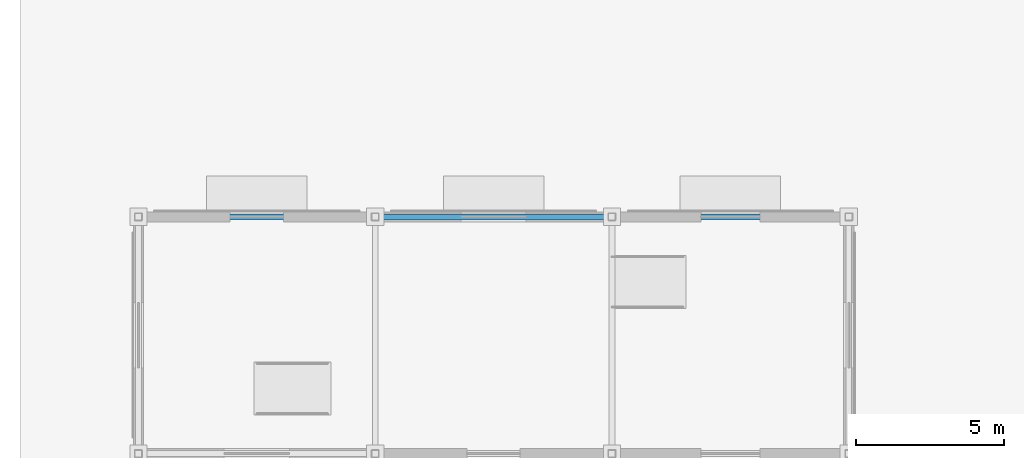
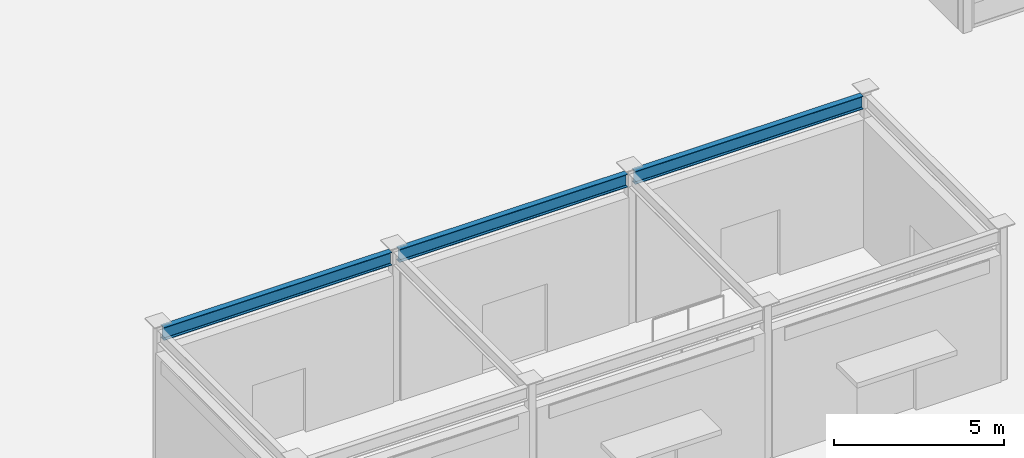
# One storey, part 58 of 128: 3 beams.
"""IFC4 building model written with IfcOpenShell, lengths in metres."""

from ifc_helpers import new_model, si_unit, direction, frame, origin, origin_2d, place, context, subcontext, project, spatial, i_section, extrude, material, material_profile, profile_set, type_object, element, save


model = new_model("IFC4")

# Units and contexts
model_context = context("Model", 3, precision=1e-05, world=origin(), true_north=direction((0.0, 1.0)))
body_context = subcontext(model_context, "Body", "Model", "MODEL_VIEW")
ifc_project = project(units=[si_unit("LENGTHUNIT", "METRE"), si_unit("AREAUNIT", "SQUARE_METRE"), si_unit("VOLUMEUNIT", "CUBIC_METRE"), si_unit("PLANEANGLEUNIT", "RADIAN"), si_unit("MASSUNIT", "GRAM", prefix="KILO")], contexts=[model_context])

# Site, building, storey
site_placement = place(None, origin())
site = spatial("IfcSite", under=ifc_project, at=site_placement, CompositionType="ELEMENT")
building_placement = place(site_placement, origin())
building = spatial("IfcBuilding", under=site, at=building_placement, Name="Solmirada Galleria", CompositionType="ELEMENT")
storey_placement = place(building_placement, origin())
storey = spatial("IfcBuildingStorey", under=building, at=storey_placement, Name="L00", CompositionType="ELEMENT", Elevation=0.0)

# Beams
ifc_material = material(Name="Steel S355 / ASTM A992 Grade 50", Category="steel")
ifc_material_profile = material_profile(ifc_material, i_section(OverallWidth=0.193115234375, OverallDepth=0.466064453125, WebThickness=0.011474609375, FlangeThickness=0.01904296875, FilletRadius=0.013916015625, at=origin_2d()), Name="W18X65")
ifc_profile_set = profile_set([ifc_material_profile], Name="Steel S355 / ASTM A992 Grade 50")
beam_type = type_object("IfcBeamType", Name="BM-GIRD-W18C", PredefinedType="BEAM", material=ifc_profile_set)
for number, where, z_axis, x_axis, name in (
    (1, (8.126953125, 64.0, 5.139892578125), (1.0, 0.0, 0.0), (0.0, 1.0, 0.0), "West portal roof girder X=8..16"),
    (2, (16.126953125, 64.0, 5.139892578125), (1.0, 0.0, 0.0), (0.0, 1.0, 0.0), "West portal roof girder X=16..24"),
    (3, (24.126953125, 64.0, 5.139892578125), (1.0, 0.0, 0.0), (0.0, 1.0, 0.0), "West portal roof girder X=24..32"),
):
    element("IfcBeam", number, at=place(storey_placement, frame(where, z_axis=z_axis, x_axis=x_axis)), inside=storey, type_object=beam_type, Name=name, PredefinedType="BEAM", context=body_context, shape_type="SweptSolid", body=[
        extrude(i_section(OverallWidth=0.193115234375, OverallDepth=0.466064453125, WebThickness=0.011474609375, FlangeThickness=0.01904296875, FilletRadius=0.013916015625, at=origin_2d()), origin(), (0.0, 0.0, 1.0), 7.74609375),
    ])

save(model, "model.ifc")
